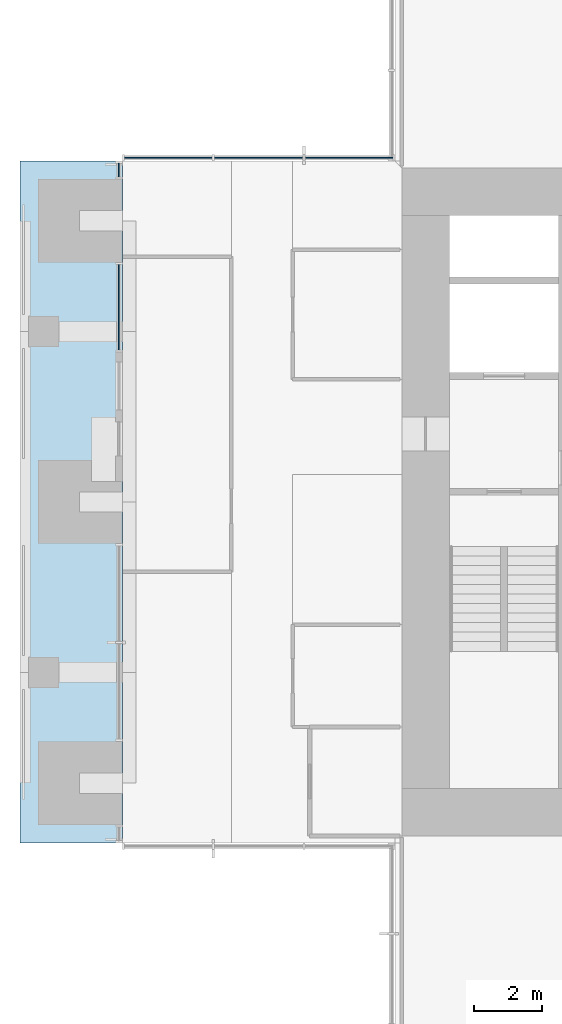
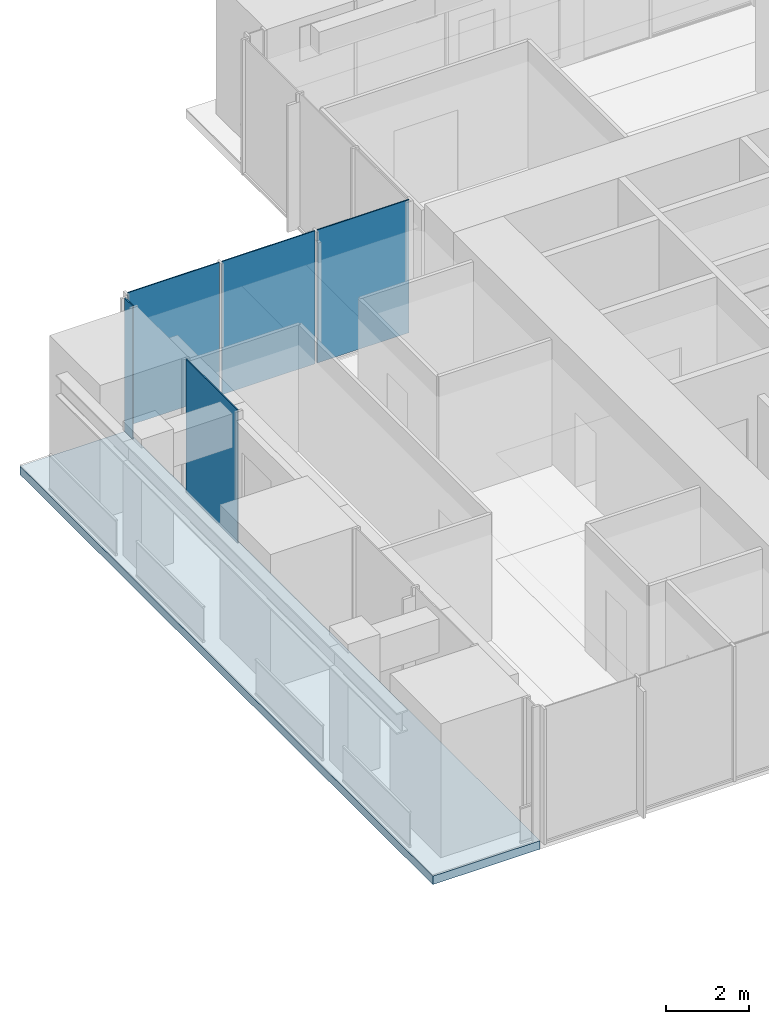
# One storey, part 8 of 17: 5 plates, 1 slab, 3 elements without a shape of their own.
"""IFC4 building model written with IfcOpenShell, lengths in metres."""

from ifc_helpers import new_model, si_unit, direction, frame, origin, origin_2d, place, context, subcontext, project, spatial, polyline, rectangle, outline, extrude, material, layer, layer_set, type_object, element, aggregate, save


model = new_model("IFC4")

# Units and contexts
model_context = context("Model", 3, precision=1e-05, world=origin(), true_north=direction((0.0, 1.0)))
body_context = subcontext(model_context, "Body", "Model", "MODEL_VIEW")
ifc_project = project(units=[si_unit("LENGTHUNIT", "METRE"), si_unit("AREAUNIT", "SQUARE_METRE"), si_unit("VOLUMEUNIT", "CUBIC_METRE"), si_unit("PLANEANGLEUNIT", "RADIAN"), si_unit("MASSUNIT", "GRAM", prefix="KILO")], contexts=[model_context])

# Site, building, storey
site_placement = place(None, origin())
site = spatial("IfcSite", under=ifc_project, at=site_placement, CompositionType="ELEMENT")
building_placement = place(site_placement, origin())
building = spatial("IfcBuilding", under=site, at=building_placement, Name="Svetlomir Tower", CompositionType="ELEMENT")
storey_placement = place(building_placement, frame((0.0, 0.0, 214.5)))
storey = spatial("IfcBuildingStorey", under=building, at=storey_placement, Name="L51", CompositionType="ELEMENT", Elevation=214.5)

# Curtain wall, plates
ifc_material_1 = material(Name="Bronze anodised aluminium curtain wall", Category="aluminium")
curtain_wall_type = type_object("IfcCurtainWallType", Name="CURTAIN WALL CW1 TOWER OFFICE", PredefinedType="NOTDEFINED", material=ifc_material_1)
curtain_wall_1_placement = place(storey_placement, origin())
curtain_wall_1 = element("IfcCurtainWall", 1, at=curtain_wall_1_placement, inside=storey, type_object=curtain_wall_type, Name="Curtain wall CW1 L51", PredefinedType="NOTDEFINED")
ifc_material_2 = material(Name="Tinted double glazed unit", Category="glass")
ifc_layer_1 = layer(ifc_material_2, 0.031982421875)
ifc_layer_set_1 = layer_set([ifc_layer_1], Name="Tinted double glazed unit")
plate_type = type_object("IfcPlateType", Name="CW1 GLAZED PANEL 32", PredefinedType="CURTAIN_PANEL", material=ifc_layer_set_1)
plate_1_placement = place(storey_placement, frame((9.650390625, 31.10009765625, 0.06494140625), z_axis=(0.0, 0.0, 1.0), x_axis=(-1.0, 0.0, 0.0)))
plate_1 = element("IfcPlate", 2, at=plate_1_placement, type_object=plate_type, Name="CW1 panel 1.1", PredefinedType="CURTAIN_PANEL", context=body_context, shape_type="SweptSolid", body=[
    extrude(rectangle(XDim=2.569091796875, YDim=0.031982421875, at=origin_2d()), origin(), (0.0, 0.0, 1.0), 3.93505859375),
])
plate_2_placement = place(storey_placement, frame((7.0, 31.10009765625, 0.06494140625), z_axis=(0.0, 0.0, 1.0), x_axis=(-1.0, 0.0, 0.0)))
plate_2 = element("IfcPlate", 3, at=plate_2_placement, type_object=plate_type, Name="CW1 panel 2.1", PredefinedType="CURTAIN_PANEL", context=body_context, shape_type="SweptSolid", body=[
    extrude(rectangle(XDim=2.6015625, YDim=0.031982421875, at=origin_2d()), origin(), (0.0, 0.0, 1.0), 3.93505859375),
])
plate_3_placement = place(storey_placement, frame((4.349609375, 31.10009765625, 0.06494140625), z_axis=(0.0, 0.0, 1.0), x_axis=(-1.0, 0.0, 0.0)))
plate_3 = element("IfcPlate", 4, at=plate_3_placement, type_object=plate_type, Name="CW1 panel 3.1", PredefinedType="CURTAIN_PANEL", context=body_context, shape_type="SweptSolid", body=[
    extrude(rectangle(XDim=2.569091796875, YDim=0.031982421875, at=origin_2d()), origin(), (0.0, 0.0, 1.0), 3.93505859375),
])
aggregate(curtain_wall_1, [plate_1, plate_2, plate_3])

# Curtain wall, plate
curtain_wall_2_placement = place(storey_placement, origin())
curtain_wall_2 = element("IfcCurtainWall", 5, at=curtain_wall_2_placement, inside=storey, type_object=curtain_wall_type, Name="Curtain wall CW1 L51", PredefinedType="NOTDEFINED")
plate_4_placement = place(storey_placement, frame((2.89990234375, 30.737548828125, 0.06494140625), z_axis=(0.0, 0.0, 1.0), x_axis=(0.0, -1.0, 0.0)))
plate_4 = element("IfcPlate", 6, at=plate_4_placement, type_object=plate_type, Name="CW1 panel 1.1", PredefinedType="CURTAIN_PANEL", context=body_context, shape_type="SweptSolid", body=[
    extrude(rectangle(XDim=0.39501953125, YDim=0.031982421875, at=origin_2d()), origin(), (0.0, 0.0, 1.0), 3.93505859375),
])
aggregate(curtain_wall_2, [plate_4])

curtain_wall_3_placement = place(storey_placement, origin())
curtain_wall_3 = element("IfcCurtainWall", 7, at=curtain_wall_3_placement, inside=storey, type_object=curtain_wall_type, Name="Curtain wall CW1 L51", PredefinedType="NOTDEFINED")
plate_5_placement = place(storey_placement, frame((2.89990234375, 26.71240234375, 0.06494140625), z_axis=(0.0, 0.0, 1.0), x_axis=(0.0, -1.0, 0.0)))
plate_5 = element("IfcPlate", 8, at=plate_5_placement, type_object=plate_type, Name="CW1 panel 1.1", PredefinedType="CURTAIN_PANEL", context=body_context, shape_type="SweptSolid", body=[
    extrude(rectangle(XDim=2.4951171875, YDim=0.031982421875, at=origin_2d()), origin(), (0.0, 0.0, 1.0), 3.93505859375),
])
aggregate(curtain_wall_3, [plate_5])

# Slab
ifc_material_3 = material(Name="Concrete C60/75", Category="concrete")
ifc_layer_2 = layer(ifc_material_3, 0.25)
ifc_layer_set_2 = layer_set([ifc_layer_2], Name="Concrete C60/75")
slab_type = type_object("IfcSlabType", Name="PLANTED LOGGIA SLAB 250", PredefinedType="FLOOR", material=ifc_layer_set_2)
slab_placement = place(storey_placement, frame((0.0, 0.0, -0.25)))
element("IfcSlab", 9, at=slab_placement, inside=storey, type_object=slab_type, Name="L51 W planted loggia", PredefinedType="FLOOR", context=body_context, shape_type="SweptSolid", body=[
    extrude(outline(polyline([(0.0, 11.0), (3.0, 11.0), (3.0, 31.0), (0.0, 31.0), (0.0, 11.0)])), origin(), (0.0, 0.0, 1.0), 0.25),
])

save(model, "model.ifc")
